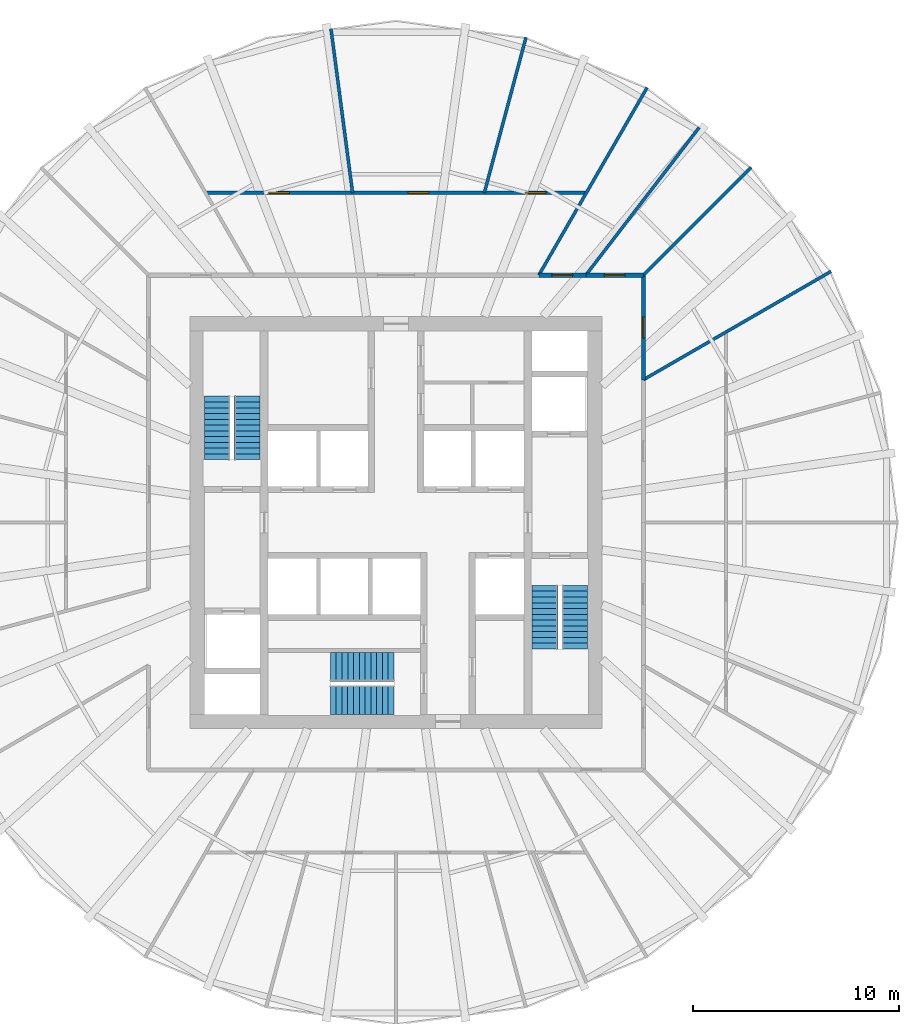
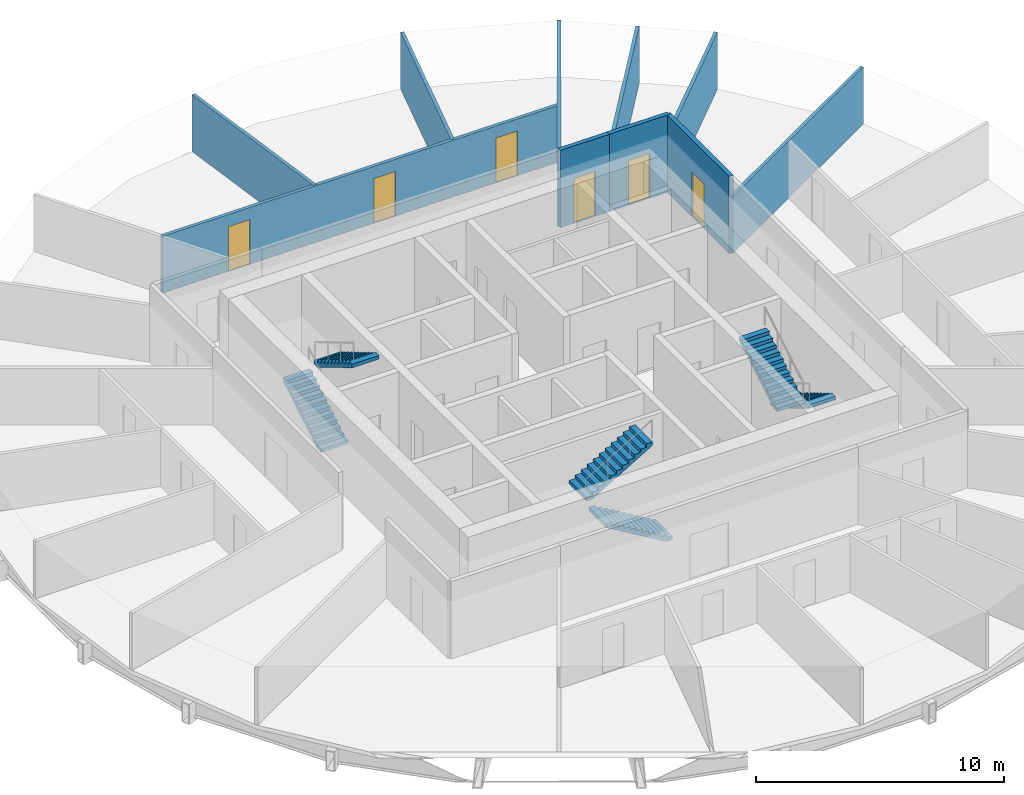
# One storey, part 5 of 6: 10 walls, 6 doors, 6 stair flights, 6 openings, 3 elements without a shape of their own.
"""IFC4 building model written with IfcOpenShell, lengths in metres."""

from ifc_helpers import new_model, si_unit, direction, frame, frame_2d, origin, place, context, subcontext, project, spatial, polyline, rectangle, outline, extrude, material, layer, layer_set, type_object, element, fill, aggregate, save


model = new_model("IFC4")

# Units and contexts
model_context = context("Model", 3, precision=1e-05, world=origin(), true_north=direction((0.0, 1.0)))
body_context = subcontext(model_context, "Body", "Model", "MODEL_VIEW")
ifc_project = project(units=[si_unit("LENGTHUNIT", "METRE"), si_unit("AREAUNIT", "SQUARE_METRE"), si_unit("VOLUMEUNIT", "CUBIC_METRE"), si_unit("PLANEANGLEUNIT", "RADIAN"), si_unit("MASSUNIT", "GRAM", prefix="KILO")], contexts=[model_context])

# Site, building, storey
site_placement = place(None, origin())
site = spatial("IfcSite", under=ifc_project, at=site_placement, CompositionType="ELEMENT")
building_placement = place(site_placement, origin())
building = spatial("IfcBuilding", under=site, at=building_placement, Name="Golbaran Civic Tower", CompositionType="ELEMENT")
storey_placement = place(building_placement, frame((0.0, 0.0, 94.0)))
storey = spatial("IfcBuildingStorey", under=building, at=storey_placement, Name="L22", CompositionType="ELEMENT", Elevation=94.0)

# Wall, opening, door
ifc_material_1 = material(Name="Gypsum board on steel studs, fire-rated", Category="steel")
ifc_layer_1 = layer(ifc_material_1, 0.199951171875, Name="Gypsum board on steel studs, fire-rated")
ifc_layer_set_1 = layer_set([ifc_layer_1], Name="Gypsum board on steel studs, fire-rated")
wall_type_1 = type_object("IfcWallType", Name="CORRIDOR WALL 200", PredefinedType="PARTITIONING", material=ifc_layer_set_1)
wall_1_placement = place(storey_placement, frame((12.0, 6.92822265625, 0.0), z_axis=(0.0, 0.0, 1.0), x_axis=(0.0, 1.0, 0.0)))
wall_1 = element("IfcWall", 1, at=wall_1_placement, inside=storey, type_object=wall_type_1, Name="Corridor wall L22", PredefinedType="PARTITIONING", context=body_context, shape_type="SweptSolid", body=[
    extrude(rectangle(XDim=5.07177734375, YDim=0.199951171875, at=frame_2d((2.535888671875, 0.0))), origin(), (0.0, 0.0, 1.0), 3.800048828125),
])
opening_1_placement = place(wall_1_placement, frame((2.035888671875, 0.0, 0.0)))
opening_1 = element("IfcOpeningElement", 2, at=opening_1_placement, cuts=wall_1, Name="Opening L22.18", PredefinedType="OPENING", context=body_context, shape_type="SweptSolid", body=[
    extrude(rectangle(XDim=1.0, YDim=2.199951171875, at=frame_2d((0.5, 1.10009765625))), frame((0.0, 0.10986328125, 0.0), z_axis=(0.0, -1.0, 0.0), x_axis=(1.0, 0.0, 0.0)), (0.0, 0.0, 1.0), 0.219970703125),
])
ifc_material_2 = material(Name="Timber door set in steel frame", Category="steel")
door_type = type_object("IfcDoorType", Name="OFFICE DOOR 1000x2200", OperationType="SINGLE_SWING_LEFT", PredefinedType="DOOR", material=ifc_material_2)
door_1_placement = place(opening_1_placement, origin())
door_1 = element("IfcDoor", 3, at=door_1_placement, inside=storey, type_object=door_type, Name="Pantry door L22", OperationType="SINGLE_SWING_LEFT", OverallHeight=2.199951171875, OverallWidth=1.0, PredefinedType="DOOR", context=body_context, shape_type="SweptSolid", body=[
    extrude(rectangle(XDim=1.0, YDim=2.199951171875, at=frame_2d((0.5, 1.10009765625))), frame((0.0, 0.02490234375, 0.0), z_axis=(0.0, -1.0, 0.0), x_axis=(1.0, 0.0, 0.0)), (0.0, 0.0, 1.0), 0.050048828125),
])
fill(opening_1, door_1)

wall_2_placement = place(storey_placement, frame((12.0, 12.0, 0.0), z_axis=(0.0, 0.0, 1.0), x_axis=(-1.0, 0.0, 0.0)))
wall_2 = element("IfcWall", 4, at=wall_2_placement, inside=storey, type_object=wall_type_1, Name="Corridor wall L22", PredefinedType="PARTITIONING", context=body_context, shape_type="SweptSolid", body=[
    extrude(rectangle(XDim=2.7919921875, YDim=0.199951171875, at=frame_2d((1.39599609375, 0.0))), origin(), (0.0, 0.0, 1.0), 3.800048828125),
])
opening_2_placement = place(wall_2_placement, frame((0.89599609375, 0.0, 0.0)))
opening_2 = element("IfcOpeningElement", 5, at=opening_2_placement, cuts=wall_2, Name="Opening L22.19", PredefinedType="OPENING", context=body_context, shape_type="SweptSolid", body=[
    extrude(rectangle(XDim=1.0, YDim=2.199951171875, at=frame_2d((0.5, 1.10009765625))), frame((0.0, 0.10986328125, 0.0), z_axis=(0.0, -1.0, 0.0), x_axis=(1.0, 0.0, 0.0)), (0.0, 0.0, 1.0), 0.219970703125),
])
door_2_placement = place(opening_2_placement, origin())
door_2 = element("IfcDoor", 6, at=door_2_placement, inside=storey, type_object=door_type, Name="Prayer Room door L22", OperationType="SINGLE_SWING_RIGHT", OverallHeight=2.199951171875, OverallWidth=1.0, PredefinedType="DOOR", context=body_context, shape_type="SweptSolid", body=[
    extrude(rectangle(XDim=1.0, YDim=2.199951171875, at=frame_2d((0.5, 1.10009765625))), frame((0.0, 0.02490234375, 0.0), z_axis=(0.0, -1.0, 0.0), x_axis=(1.0, 0.0, 0.0)), (0.0, 0.0, 1.0), 0.050048828125),
])
fill(opening_2, door_2)

wall_3_placement = place(storey_placement, frame((9.2080078125, 12.0, 0.0), z_axis=(0.0, 0.0, 1.0), x_axis=(-1.0, 0.0, 0.0)))
wall_3 = element("IfcWall", 7, at=wall_3_placement, inside=storey, type_object=wall_type_1, Name="Corridor wall L22", PredefinedType="PARTITIONING", context=body_context, shape_type="SweptSolid", body=[
    extrude(rectangle(XDim=2.27978515625, YDim=0.199951171875, at=frame_2d((1.139892578125, 0.0))), origin(), (0.0, 0.0, 1.0), 3.800048828125),
])
opening_3_placement = place(wall_3_placement, frame((0.639892578125, 0.0, 0.0)))
opening_3 = element("IfcOpeningElement", 8, at=opening_3_placement, cuts=wall_3, Name="Opening L22.20", PredefinedType="OPENING", context=body_context, shape_type="SweptSolid", body=[
    extrude(rectangle(XDim=1.0, YDim=2.199951171875, at=frame_2d((0.5, 1.10009765625))), frame((0.0, 0.10986328125, 0.0), z_axis=(0.0, -1.0, 0.0), x_axis=(1.0, 0.0, 0.0)), (0.0, 0.0, 1.0), 0.219970703125),
])
door_3_placement = place(opening_3_placement, origin())
door_3 = element("IfcDoor", 9, at=door_3_placement, inside=storey, type_object=door_type, Name="Quiet Room door L22", OperationType="SINGLE_SWING_RIGHT", OverallHeight=2.199951171875, OverallWidth=1.0, PredefinedType="DOOR", context=body_context, shape_type="SweptSolid", body=[
    extrude(rectangle(XDim=1.0, YDim=2.199951171875, at=frame_2d((0.5, 1.10009765625))), frame((0.0, 0.02490234375, 0.0), z_axis=(0.0, -1.0, 0.0), x_axis=(1.0, 0.0, 0.0)), (0.0, 0.0, 1.0), 0.050048828125),
])
fill(opening_3, door_3)

# Walls
ifc_material_3 = material(Name="Gypsum board on steel studs", Category="steel")
ifc_layer_2 = layer(ifc_material_3, 0.14990234375, Name="Gypsum board on steel studs")
ifc_layer_set_2 = layer_set([ifc_layer_2], Name="Gypsum board on steel studs")
wall_type_2 = type_object("IfcWallType", Name="OFFICE PARTITION 150", PredefinedType="PARTITIONING", material=ifc_layer_set_2)
wall_4_placement = place(storey_placement, frame((12.0, 6.92822265625, 0.0), z_axis=(0.0, 0.0, 1.0), x_axis=(0.866028201971, 0.499995153367, 0.0)))
element("IfcWall", 10, at=wall_4_placement, inside=storey, type_object=wall_type_2, Name="Partition 30 L22", PredefinedType="PARTITIONING", context=body_context, shape_type="SweptSolid", body=[
    extrude(rectangle(XDim=10.513671875, YDim=0.14990234375, at=frame_2d((5.2568359375, 0.0))), origin(), (0.0, 0.0, 1.0), 2.7900390625),
])
wall_5_placement = place(storey_placement, frame((12.0, 12.0, 0.0), z_axis=(0.0, 0.0, 1.0), x_axis=(0.707106781187, 0.707106781187, 0.0)))
element("IfcWall", 11, at=wall_5_placement, inside=storey, type_object=wall_type_2, Name="Partition 45 L22", PredefinedType="PARTITIONING", context=body_context, shape_type="SweptSolid", body=[
    extrude(rectangle(XDim=7.399658203125, YDim=0.14990234375, at=frame_2d((3.69970703125, 0.0))), origin(), (0.0, 0.0, 1.0), 2.7900390625),
])
wall_6_placement = place(storey_placement, frame((9.2080078125, 12.0, 0.0), z_axis=(0.0, 0.0, 1.0), x_axis=(0.60876104896, 0.793353631913, 0.0)))
element("IfcWall", 12, at=wall_6_placement, inside=storey, type_object=wall_type_2, Name="Partition 52.5 L22", PredefinedType="PARTITIONING", context=body_context, shape_type="SweptSolid", body=[
    extrude(rectangle(XDim=9.035888671875, YDim=0.14990234375, at=frame_2d((4.51806640625, 0.0))), origin(), (0.0, 0.0, 1.0), 2.7900390625),
])
wall_7_placement = place(storey_placement, frame((6.92822265625, 12.0, 0.0), z_axis=(0.0, 0.0, 1.0), x_axis=(0.499995153367, 0.866028201971, 0.0)))
element("IfcWall", 13, at=wall_7_placement, inside=storey, type_object=wall_type_2, Name="Partition 60 L22", PredefinedType="PARTITIONING", context=body_context, shape_type="SweptSolid", body=[
    extrude(rectangle(XDim=10.513671875, YDim=0.14990234375, at=frame_2d((5.2568359375, 0.0))), origin(), (0.0, 0.0, 1.0), 2.7900390625),
])

# Wall, openings, doors
wall_8_placement = place(storey_placement, frame((9.237548828125, 16.0, 0.0), z_axis=(0.0, 0.0, 1.0), x_axis=(-1.0, 0.0, 0.0)))
wall_8 = element("IfcWall", 14, at=wall_8_placement, inside=storey, type_object=wall_type_2, Name="Suite partition L22", PredefinedType="PARTITIONING", context=body_context, shape_type="SweptSolid", body=[
    extrude(rectangle(XDim=18.47509765625, YDim=0.14990234375, at=frame_2d((9.237548828125, 0.0))), origin(), (0.0, 0.0, 1.0), 2.7900390625),
])
opening_4_placement = place(wall_8_placement, frame((1.97509765625, 0.0, 0.0)))
opening_4 = element("IfcOpeningElement", 15, at=opening_4_placement, cuts=wall_8, Name="Opening L22.05", PredefinedType="OPENING", context=body_context, shape_type="SweptSolid", body=[
    extrude(rectangle(XDim=1.0, YDim=2.199951171875, at=frame_2d((0.5, 1.10009765625))), frame((0.0, 0.0849609375, 0.0), z_axis=(0.0, -1.0, 0.0), x_axis=(1.0, 0.0, 0.0)), (0.0, 0.0, 1.0), 0.169921875),
])
opening_5_placement = place(wall_8_placement, frame((7.647216796875, 0.0, 0.0)))
opening_5 = element("IfcOpeningElement", 16, at=opening_5_placement, cuts=wall_8, Name="Opening L22.06", PredefinedType="OPENING", context=body_context, shape_type="SweptSolid", body=[
    extrude(rectangle(XDim=1.0, YDim=2.199951171875, at=frame_2d((0.5, 1.10009765625))), frame((0.0, 0.0849609375, 0.0), z_axis=(0.0, -1.0, 0.0), x_axis=(1.0, 0.0, 0.0)), (0.0, 0.0, 1.0), 0.169921875),
])
opening_6_placement = place(wall_8_placement, frame((14.40966796875, 0.0, 0.0)))
opening_6 = element("IfcOpeningElement", 17, at=opening_6_placement, cuts=wall_8, Name="Opening L22.07", PredefinedType="OPENING", context=body_context, shape_type="SweptSolid", body=[
    extrude(rectangle(XDim=1.0, YDim=2.199951171875, at=frame_2d((0.5, 1.10009765625))), frame((0.0, 0.0849609375, 0.0), z_axis=(0.0, -1.0, 0.0), x_axis=(1.0, 0.0, 0.0)), (0.0, 0.0, 1.0), 0.169921875),
])
door_4_placement = place(opening_4_placement, origin())
door_4 = element("IfcDoor", 18, at=door_4_placement, inside=storey, type_object=door_type, Name="Director's Office door L22", OperationType="SINGLE_SWING_LEFT", OverallHeight=2.199951171875, OverallWidth=1.0, PredefinedType="DOOR", context=body_context, shape_type="SweptSolid", body=[
    extrude(rectangle(XDim=1.0, YDim=2.199951171875, at=frame_2d((0.5, 1.10009765625))), frame((0.0, 0.02490234375, 0.0), z_axis=(0.0, -1.0, 0.0), x_axis=(1.0, 0.0, 0.0)), (0.0, 0.0, 1.0), 0.050048828125),
])
fill(opening_4, door_4)
door_5_placement = place(opening_5_placement, origin())
door_5 = element("IfcDoor", 19, at=door_5_placement, inside=storey, type_object=door_type, Name="Office door L22", OperationType="SINGLE_SWING_LEFT", OverallHeight=2.199951171875, OverallWidth=1.0, PredefinedType="DOOR", context=body_context, shape_type="SweptSolid", body=[
    extrude(rectangle(XDim=1.0, YDim=2.199951171875, at=frame_2d((0.5, 1.10009765625))), frame((0.0, 0.02490234375, 0.0), z_axis=(0.0, -1.0, 0.0), x_axis=(1.0, 0.0, 0.0)), (0.0, 0.0, 1.0), 0.050048828125),
])
fill(opening_5, door_5)
door_6_placement = place(opening_6_placement, origin())
door_6 = element("IfcDoor", 20, at=door_6_placement, inside=storey, type_object=door_type, Name="Office door L22", OperationType="SINGLE_SWING_RIGHT", OverallHeight=2.199951171875, OverallWidth=1.0, PredefinedType="DOOR", context=body_context, shape_type="SweptSolid", body=[
    extrude(rectangle(XDim=1.0, YDim=2.199951171875, at=frame_2d((0.5, 1.10009765625))), frame((0.0, 0.02490234375, 0.0), z_axis=(0.0, -1.0, 0.0), x_axis=(1.0, 0.0, 0.0)), (0.0, 0.0, 1.0), 0.050048828125),
])
fill(opening_6, door_6)

# Walls
wall_9_placement = place(storey_placement, frame((4.287109375, 16.0, 0.0), z_axis=(0.0, 0.0, 1.0), x_axis=(0.258816859097, 0.965926412025, 0.0)))
element("IfcWall", 21, at=wall_9_placement, inside=storey, type_object=wall_type_2, Name="Partition 75 L22", PredefinedType="PARTITIONING", context=body_context, shape_type="SweptSolid", body=[
    extrude(rectangle(XDim=7.8056640625, YDim=0.14990234375, at=frame_2d((3.90283203125, 0.0))), origin(), (0.0, 0.0, 1.0), 2.7900390625),
])
wall_10_placement = place(storey_placement, frame((-2.1064453125, 16.0, 0.0), z_axis=(0.0, 0.0, 1.0), x_axis=(-0.130533221372, 0.991443935943, 0.0)))
element("IfcWall", 22, at=wall_10_placement, inside=storey, type_object=wall_type_2, Name="Partition 97.5 L22", PredefinedType="PARTITIONING", context=body_context, shape_type="SweptSolid", body=[
    extrude(rectangle(XDim=8.023681640625, YDim=0.14990234375, at=frame_2d((4.01171875, 0.0))), origin(), (0.0, 0.0, 1.0), 2.7900390625),
])

# Stair, stair flights
ifc_material_4 = material(Name="Concrete C35/45", Category="concrete")
stair_type_1 = type_object("IfcStairType", Name="EXIT STAIR 2700 x 7550, 4000 RISE", PredefinedType="HALF_TURN_STAIR", material=ifc_material_4)
stair_1_placement = place(storey_placement, origin())
stair_1 = element("IfcStair", 23, at=stair_1_placement, inside=storey, type_object=stair_type_1, Name="Stair S1 L22", PredefinedType="HALF_TURN_STAIR")
stair_flight_type_1 = type_object("IfcStairFlightType", Name="STAIR FLIGHT 1250 WIDE", PredefinedType="STRAIGHT", material=ifc_material_4)
stair_flight_1_placement = place(storey_placement, frame((-8.675048828125, 3.050048828125, 0.0), z_axis=(0.0, 0.0, 1.0), x_axis=(0.0, 1.0, 0.0)))
stair_flight_1 = element("IfcStairFlight", 24, at=stair_flight_1_placement, type_object=stair_flight_type_1, Name="ST27076-40 flight 1", NumberOfRisers=12, NumberOfTreads=11, PredefinedType="STRAIGHT", RiserHeight=0.166666667, TreadLength=0.28, context=body_context, shape_type="SweptSolid", body=[
    extrude(outline(polyline([(0.0, 0.0), (0.0, 0.166748046875), (0.280029296875, 0.166748046875), (0.280029296875, 0.333251953125), (0.56005859375, 0.333251953125), (0.56005859375, 0.5), (0.840087890625, 0.5), (0.840087890625, 0.666748046875), (1.1201171875, 0.666748046875), (1.1201171875, 0.833251953125), (1.39990234375, 0.833251953125), (1.39990234375, 1.0), (1.679931640625, 1.0), (1.679931640625, 1.166748046875), (1.9599609375, 1.166748046875), (1.9599609375, 1.333251953125), (2.239990234375, 1.333251953125), (2.239990234375, 1.5), (2.52001953125, 1.5), (2.52001953125, 1.666748046875), (2.800048828125, 1.666748046875), (2.800048828125, 1.833251953125), (3.080078125, 1.833251953125), (3.080078125, 2.0), (3.080078125, 1.658935546875), (0.29296875, 0.0), (0.0, 0.0)])), frame((0.0, 0.625, 0.0), z_axis=(0.0, -1.0, 0.0), x_axis=(1.0, 0.0, 0.0)), (0.0, 0.0, 1.0), 1.25),
])
stair_flight_2_placement = place(storey_placement, frame((-7.22509765625, 6.1298828125, 2.0), z_axis=(0.0, 0.0, 1.0), x_axis=(0.0, -1.0, 0.0)))
stair_flight_2 = element("IfcStairFlight", 25, at=stair_flight_2_placement, type_object=stair_flight_type_1, Name="ST27076-40 flight 2", NumberOfRisers=12, NumberOfTreads=11, PredefinedType="STRAIGHT", RiserHeight=0.166666667, TreadLength=0.28, context=body_context, shape_type="SweptSolid", body=[
    extrude(outline(polyline([(0.0, 0.0), (0.0, 0.166748046875), (0.280029296875, 0.166748046875), (0.280029296875, 0.333251953125), (0.56005859375, 0.333251953125), (0.56005859375, 0.5), (0.840087890625, 0.5), (0.840087890625, 0.666748046875), (1.1201171875, 0.666748046875), (1.1201171875, 0.833251953125), (1.39990234375, 0.833251953125), (1.39990234375, 1.0), (1.679931640625, 1.0), (1.679931640625, 1.166748046875), (1.9599609375, 1.166748046875), (1.9599609375, 1.333251953125), (2.239990234375, 1.333251953125), (2.239990234375, 1.5), (2.52001953125, 1.5), (2.52001953125, 1.666748046875), (2.800048828125, 1.666748046875), (2.800048828125, 1.833251953125), (3.080078125, 1.833251953125), (3.080078125, 2.0), (3.080078125, 1.658935546875), (0.29296875, 0.0), (0.0, 0.0)])), frame((0.0, 0.625, 0.0), z_axis=(0.0, -1.0, 0.0), x_axis=(1.0, 0.0, 0.0)), (0.0, 0.0, 1.0), 1.25),
])
aggregate(stair_1, [stair_flight_1, stair_flight_2])

stair_2_placement = place(storey_placement, origin())
stair_2 = element("IfcStair", 26, at=stair_2_placement, inside=storey, type_object=stair_type_1, Name="Stair S2 L22", PredefinedType="HALF_TURN_STAIR")
stair_flight_3_placement = place(storey_placement, frame((8.675048828125, -3.050048828125, 0.0), z_axis=(0.0, 0.0, 1.0), x_axis=(0.0, -1.0, 0.0)))
stair_flight_3 = element("IfcStairFlight", 27, at=stair_flight_3_placement, type_object=stair_flight_type_1, Name="ST27076-40 flight 1", NumberOfRisers=12, NumberOfTreads=11, PredefinedType="STRAIGHT", RiserHeight=0.166666667, TreadLength=0.28, context=body_context, shape_type="SweptSolid", body=[
    extrude(outline(polyline([(0.0, 0.0), (0.0, 0.166748046875), (0.280029296875, 0.166748046875), (0.280029296875, 0.333251953125), (0.56005859375, 0.333251953125), (0.56005859375, 0.5), (0.840087890625, 0.5), (0.840087890625, 0.666748046875), (1.1201171875, 0.666748046875), (1.1201171875, 0.833251953125), (1.39990234375, 0.833251953125), (1.39990234375, 1.0), (1.679931640625, 1.0), (1.679931640625, 1.166748046875), (1.9599609375, 1.166748046875), (1.9599609375, 1.333251953125), (2.239990234375, 1.333251953125), (2.239990234375, 1.5), (2.52001953125, 1.5), (2.52001953125, 1.666748046875), (2.800048828125, 1.666748046875), (2.800048828125, 1.833251953125), (3.080078125, 1.833251953125), (3.080078125, 2.0), (3.080078125, 1.658935546875), (0.29296875, 0.0), (0.0, 0.0)])), frame((0.0, 0.625, 0.0), z_axis=(0.0, -1.0, 0.0), x_axis=(1.0, 0.0, 0.0)), (0.0, 0.0, 1.0), 1.25),
])
stair_flight_4_placement = place(storey_placement, frame((7.22509765625, -6.1298828125, 2.0), z_axis=(0.0, 0.0, 1.0), x_axis=(0.0, 1.0, 0.0)))
stair_flight_4 = element("IfcStairFlight", 28, at=stair_flight_4_placement, type_object=stair_flight_type_1, Name="ST27076-40 flight 2", NumberOfRisers=12, NumberOfTreads=11, PredefinedType="STRAIGHT", RiserHeight=0.166666667, TreadLength=0.28, context=body_context, shape_type="SweptSolid", body=[
    extrude(outline(polyline([(0.0, 0.0), (0.0, 0.166748046875), (0.280029296875, 0.166748046875), (0.280029296875, 0.333251953125), (0.56005859375, 0.333251953125), (0.56005859375, 0.5), (0.840087890625, 0.5), (0.840087890625, 0.666748046875), (1.1201171875, 0.666748046875), (1.1201171875, 0.833251953125), (1.39990234375, 0.833251953125), (1.39990234375, 1.0), (1.679931640625, 1.0), (1.679931640625, 1.166748046875), (1.9599609375, 1.166748046875), (1.9599609375, 1.333251953125), (2.239990234375, 1.333251953125), (2.239990234375, 1.5), (2.52001953125, 1.5), (2.52001953125, 1.666748046875), (2.800048828125, 1.666748046875), (2.800048828125, 1.833251953125), (3.080078125, 1.833251953125), (3.080078125, 2.0), (3.080078125, 1.658935546875), (0.29296875, 0.0), (0.0, 0.0)])), frame((0.0, 0.625, 0.0), z_axis=(0.0, -1.0, 0.0), x_axis=(1.0, 0.0, 0.0)), (0.0, 0.0, 1.0), 1.25),
])
aggregate(stair_2, [stair_flight_3, stair_flight_4])

stair_type_2 = type_object("IfcStairType", Name="EXIT STAIR 3000 x 7400, 4000 RISE", PredefinedType="HALF_TURN_STAIR", material=ifc_material_4)
stair_3_placement = place(storey_placement, origin())
stair_3 = element("IfcStair", 29, at=stair_3_placement, inside=storey, type_object=stair_type_2, Name="Stair S3 L22", PredefinedType="HALF_TURN_STAIR")
stair_flight_type_2 = type_object("IfcStairFlightType", Name="STAIR FLIGHT 1400 WIDE", PredefinedType="STRAIGHT", material=ifc_material_4)
stair_flight_5_placement = place(storey_placement, frame((-0.10009765625, -8.60009765625, 0.0), z_axis=(0.0, 0.0, 1.0), x_axis=(-1.0, 0.0, 0.0)))
stair_flight_5 = element("IfcStairFlight", 30, at=stair_flight_5_placement, type_object=stair_flight_type_2, Name="ST30074-40 flight 1", NumberOfRisers=12, NumberOfTreads=11, PredefinedType="STRAIGHT", RiserHeight=0.166666667, TreadLength=0.28, context=body_context, shape_type="SweptSolid", body=[
    extrude(outline(polyline([(0.0, 0.0), (0.0, 0.166748046875), (0.280029296875, 0.166748046875), (0.280029296875, 0.333251953125), (0.56005859375, 0.333251953125), (0.56005859375, 0.5), (0.840087890625, 0.5), (0.840087890625, 0.666748046875), (1.1201171875, 0.666748046875), (1.1201171875, 0.833251953125), (1.39990234375, 0.833251953125), (1.39990234375, 1.0), (1.679931640625, 1.0), (1.679931640625, 1.166748046875), (1.9599609375, 1.166748046875), (1.9599609375, 1.333251953125), (2.239990234375, 1.333251953125), (2.239990234375, 1.5), (2.52001953125, 1.5), (2.52001953125, 1.666748046875), (2.800048828125, 1.666748046875), (2.800048828125, 1.833251953125), (3.080078125, 1.833251953125), (3.080078125, 2.0), (3.080078125, 1.658935546875), (0.29296875, 0.0), (0.0, 0.0)])), frame((0.0, 0.699951171875, 0.0), z_axis=(0.0, -1.0, 0.0), x_axis=(1.0, 0.0, 0.0)), (0.0, 0.0, 1.0), 1.39990234375),
])
stair_flight_6_placement = place(storey_placement, frame((-3.179931640625, -7.0, 2.0), z_axis=(0.0, 0.0, 1.0), x_axis=(1.0, 0.0, 0.0)))
stair_flight_6 = element("IfcStairFlight", 31, at=stair_flight_6_placement, type_object=stair_flight_type_2, Name="ST30074-40 flight 2", NumberOfRisers=12, NumberOfTreads=11, PredefinedType="STRAIGHT", RiserHeight=0.166666667, TreadLength=0.28, context=body_context, shape_type="SweptSolid", body=[
    extrude(outline(polyline([(0.0, 0.0), (0.0, 0.166748046875), (0.280029296875, 0.166748046875), (0.280029296875, 0.333251953125), (0.56005859375, 0.333251953125), (0.56005859375, 0.5), (0.840087890625, 0.5), (0.840087890625, 0.666748046875), (1.1201171875, 0.666748046875), (1.1201171875, 0.833251953125), (1.39990234375, 0.833251953125), (1.39990234375, 1.0), (1.679931640625, 1.0), (1.679931640625, 1.166748046875), (1.9599609375, 1.166748046875), (1.9599609375, 1.333251953125), (2.239990234375, 1.333251953125), (2.239990234375, 1.5), (2.52001953125, 1.5), (2.52001953125, 1.666748046875), (2.800048828125, 1.666748046875), (2.800048828125, 1.833251953125), (3.080078125, 1.833251953125), (3.080078125, 2.0), (3.080078125, 1.658935546875), (0.29296875, 0.0), (0.0, 0.0)])), frame((0.0, 0.699951171875, 0.0), z_axis=(0.0, -1.0, 0.0), x_axis=(1.0, 0.0, 0.0)), (0.0, 0.0, 1.0), 1.39990234375),
])
aggregate(stair_3, [stair_flight_5, stair_flight_6])

save(model, "model.ifc")
